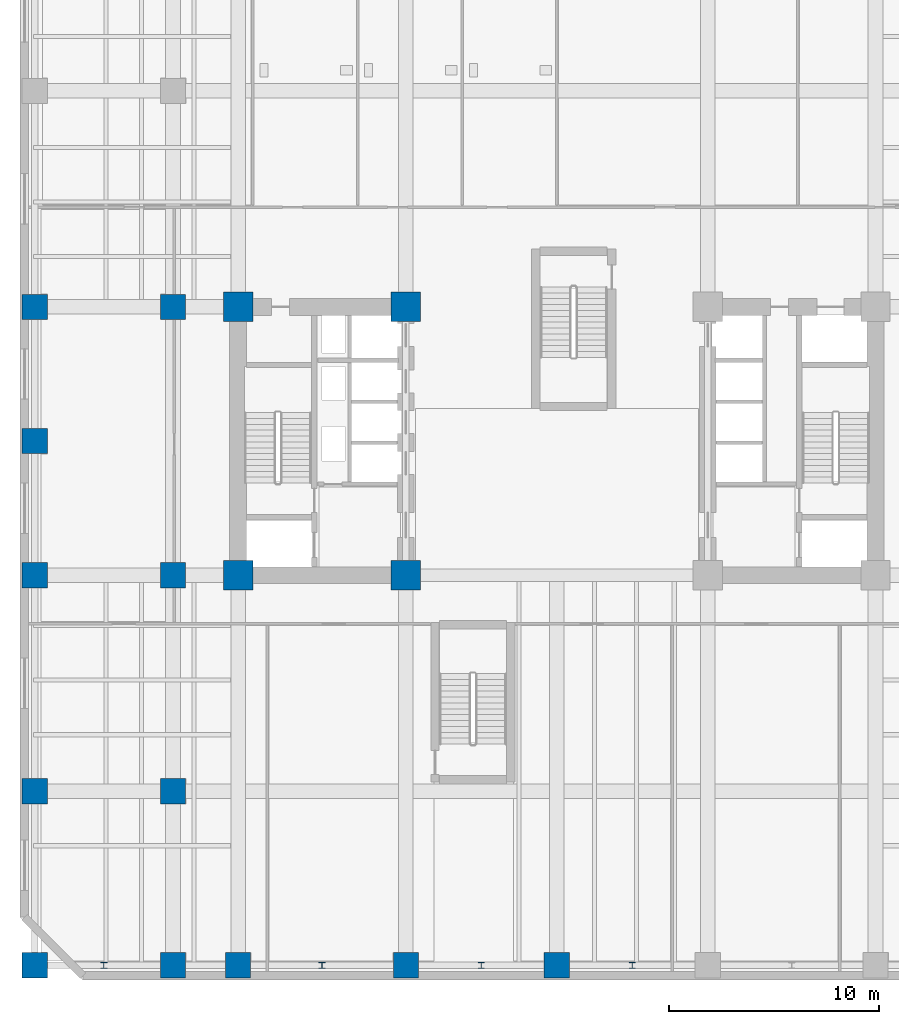
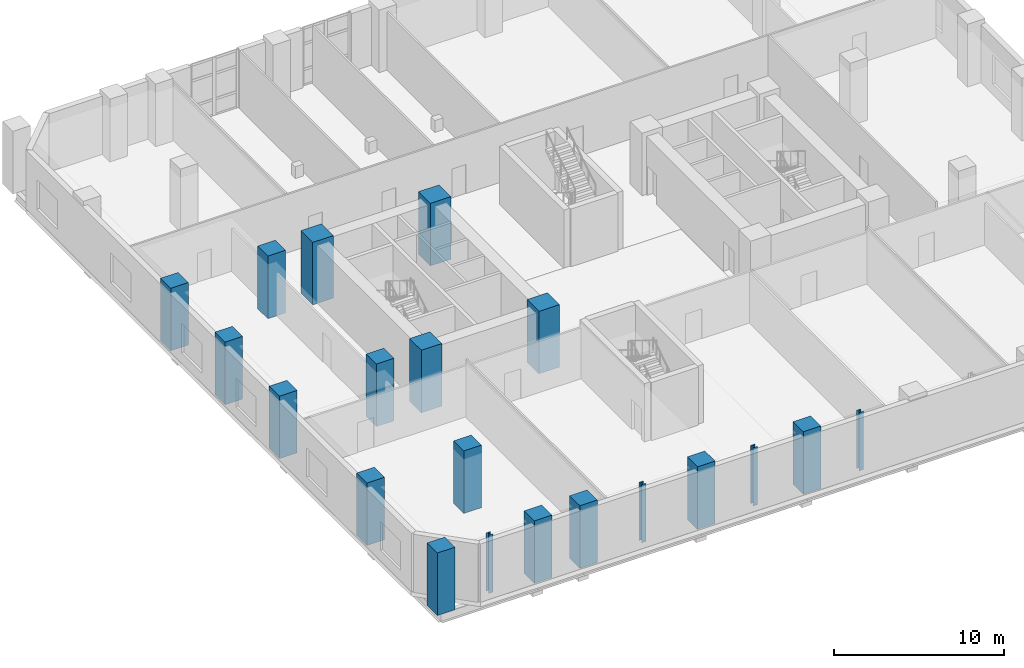
# One storey, part 1 of 15: 20 columns.
"""IFC4 building model written with IfcOpenShell, lengths in metres."""

from ifc_helpers import new_model, si_unit, direction, frame, origin, origin_2d, place, context, subcontext, project, spatial, rectangle, i_section, extrude, material, material_profile, profile_set, type_object, element, save


model = new_model("IFC4")

# Units and contexts
model_context = context("Model", 3, precision=1e-05, world=origin(), true_north=direction((0.0, 1.0)))
body_context = subcontext(model_context, "Body", "Model", "MODEL_VIEW")
ifc_project = project(units=[si_unit("LENGTHUNIT", "METRE"), si_unit("AREAUNIT", "SQUARE_METRE"), si_unit("VOLUMEUNIT", "CUBIC_METRE"), si_unit("PLANEANGLEUNIT", "RADIAN"), si_unit("MASSUNIT", "GRAM", prefix="KILO")], contexts=[model_context])

# Site, building, storey
site_placement = place(None, origin())
site = spatial("IfcSite", under=ifc_project, at=site_placement, CompositionType="ELEMENT")
building_placement = place(site_placement, origin())
building = spatial("IfcBuilding", under=site, at=building_placement, Name="Kranthara Brick Stack", CompositionType="ELEMENT")
storey_placement = place(building_placement, frame((0.0, 0.0, 9.89990234375)))
storey = spatial("IfcBuildingStorey", under=building, at=storey_placement, Name="L02", CompositionType="ELEMENT", Elevation=9.89990234375)

# Columns
ifc_material_1 = material(Name="Concrete C70/85", Category="concrete")
ifc_material_profile_1 = material_profile(ifc_material_1, rectangle(XDim=1.39990234375, YDim=1.39990234375, at=origin_2d()), Name="RC 1400x1400")
ifc_profile_set_1 = profile_set([ifc_material_profile_1], Name="Concrete C70/85")
column_type_1 = type_object("IfcColumnType", Name="COL-CORE-1400", PredefinedType="COLUMN", material=ifc_profile_set_1)
for number, where, z_axis, x_axis, name in (
    (1, (12.800048828125, 20.800048828125, 0.0), (0.0, 0.0, 1.0), (1.0, 0.0, 0.0), "L02 Column 01"),
    (2, (20.800048828125, 20.800048828125, 0.0), (0.0, 0.0, 1.0), (1.0, 0.0, 0.0), "L02 Column 02"),
    (3, (12.800048828125, 33.60009765625, 0.0), (0.0, 0.0, 1.0), (1.0, 0.0, 0.0), "L02 Column 03"),
    (4, (20.800048828125, 33.60009765625, 0.0), (0.0, 0.0, 1.0), (1.0, 0.0, 0.0), "L02 Column 04"),
):
    element("IfcColumn", number, at=place(storey_placement, frame(where, z_axis=z_axis, x_axis=x_axis)), inside=storey, type_object=column_type_1, Name=name, PredefinedType="COLUMN", context=body_context, shape_type="SweptSolid", body=[
        extrude(rectangle(XDim=1.39990234375, YDim=1.39990234375, at=origin_2d()), origin(), (0.0, 0.0, 1.0), 4.5),
    ])
ifc_material_2 = material(Name="Steel S355", Category="steel")
ifc_material_profile_2 = material_profile(ifc_material_2, i_section(OverallWidth=0.300048828125, OverallDepth=0.300048828125, WebThickness=0.010986328125, FlangeThickness=0.01904296875, at=origin_2d()), Name="HEB 300")
ifc_profile_set_2 = profile_set([ifc_material_profile_2], Name="Steel S355")
column_type_2 = type_object("IfcColumnType", Name="COL-PIL-HEB300", PredefinedType="PILASTER", material=ifc_profile_set_2)
for number, where, z_axis, x_axis, name in (
    (5, (6.39990234375, 2.199951171875, 0.0), (0.0, 0.0, 1.0), (1.0, 0.0, 0.0), "L02 Facade Pilaster 01"),
    (6, (16.800048828125, 2.199951171875, 0.0), (0.0, 0.0, 1.0), (1.0, 0.0, 0.0), "L02 Facade Pilaster 02"),
    (7, (24.39990234375, 2.199951171875, 0.0), (0.0, 0.0, 1.0), (1.0, 0.0, 0.0), "L02 Facade Pilaster 03"),
    (8, (31.60009765625, 2.199951171875, 0.0), (0.0, 0.0, 1.0), (1.0, 0.0, 0.0), "L02 Facade Pilaster 04"),
):
    element("IfcColumn", number, at=place(storey_placement, frame(where, z_axis=z_axis, x_axis=x_axis)), inside=storey, type_object=column_type_2, Name=name, PredefinedType="PILASTER", context=body_context, shape_type="SweptSolid", body=[
        extrude(i_section(OverallWidth=0.300048828125, OverallDepth=0.300048828125, WebThickness=0.010986328125, FlangeThickness=0.01904296875, at=origin_2d()), origin(), (0.0, 0.0, 1.0), 4.18017578125),
    ])
ifc_material_3 = material(Name="Concrete C70/85", Category="concrete")
ifc_material_profile_3 = material_profile(ifc_material_3, rectangle(XDim=1.199951171875, YDim=1.199951171875, at=origin_2d()), Name="RC 1200x1200")
ifc_profile_set_3 = profile_set([ifc_material_profile_3], Name="Concrete C70/85")
column_type_3 = type_object("IfcColumnType", Name="COL-RC-1200", PredefinedType="COLUMN", material=ifc_profile_set_3)
for number, where, z_axis, x_axis, name in (
    (9, (3.10009765625, 2.199951171875, 0.0), (0.0, 0.0, 1.0), (1.0, 0.0, 0.0), "L02 Column 09"),
    (10, (9.699951171875, 2.199951171875, 0.0), (0.0, 0.0, 1.0), (1.0, 0.0, 0.0), "L02 Column 11"),
    (11, (12.800048828125, 2.199951171875, 0.0), (0.0, 0.0, 1.0), (1.0, 0.0, 0.0), "L02 Column 13"),
    (12, (20.800048828125, 2.199951171875, 0.0), (0.0, 0.0, 1.0), (1.0, 0.0, 0.0), "L02 Column 15"),
    (13, (28.0, 2.199951171875, 0.0), (0.0, 0.0, 1.0), (1.0, 0.0, 0.0), "L02 Column 17"),
    (14, (3.10009765625, 10.5, 0.0), (0.0, 0.0, 1.0), (1.0, 0.0, 0.0), "L02 Column 27"),
    (15, (3.10009765625, 20.800048828125, 0.0), (0.0, 0.0, 1.0), (1.0, 0.0, 0.0), "L02 Column 29"),
    (16, (3.10009765625, 27.199951171875, 0.0), (0.0, 0.0, 1.0), (1.0, 0.0, 0.0), "L02 Column 31"),
    (17, (3.10009765625, 33.60009765625, 0.0), (0.0, 0.0, 1.0), (1.0, 0.0, 0.0), "L02 Column 33"),
    (18, (9.699951171875, 10.5, 0.0), (0.0, 0.0, 1.0), (1.0, 0.0, 0.0), "L02 Column 37"),
    (19, (9.699951171875, 20.800048828125, 0.0), (0.0, 0.0, 1.0), (1.0, 0.0, 0.0), "L02 Column 38"),
    (20, (9.699951171875, 33.60009765625, 0.0), (0.0, 0.0, 1.0), (1.0, 0.0, 0.0), "L02 Column 39"),
):
    element("IfcColumn", number, at=place(storey_placement, frame(where, z_axis=z_axis, x_axis=x_axis)), inside=storey, type_object=column_type_3, Name=name, PredefinedType="COLUMN", context=body_context, shape_type="SweptSolid", body=[
        extrude(rectangle(XDim=1.199951171875, YDim=1.199951171875, at=origin_2d()), origin(), (0.0, 0.0, 1.0), 4.5),
    ])

save(model, "model.ifc")
